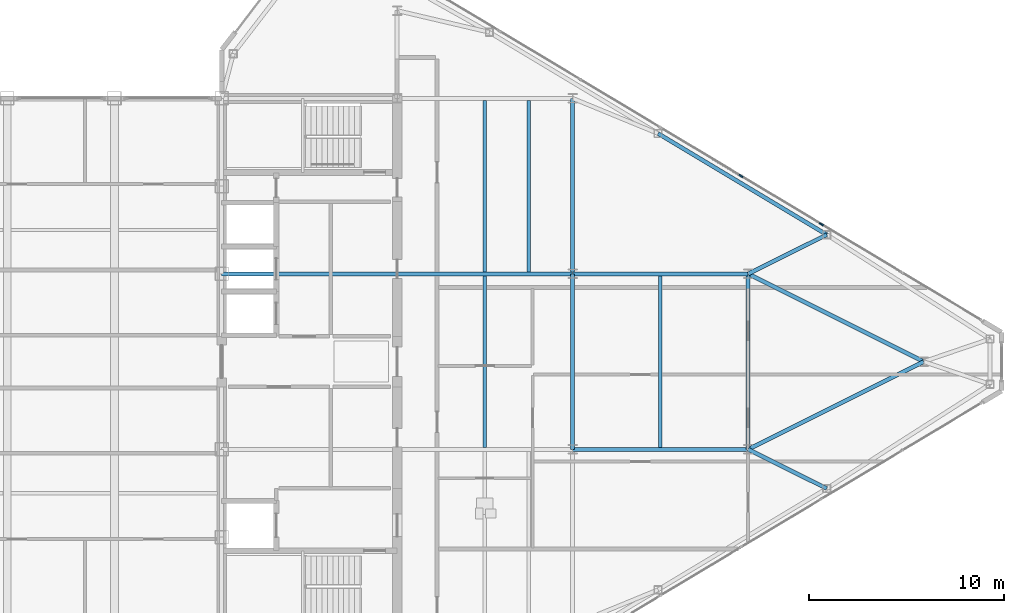
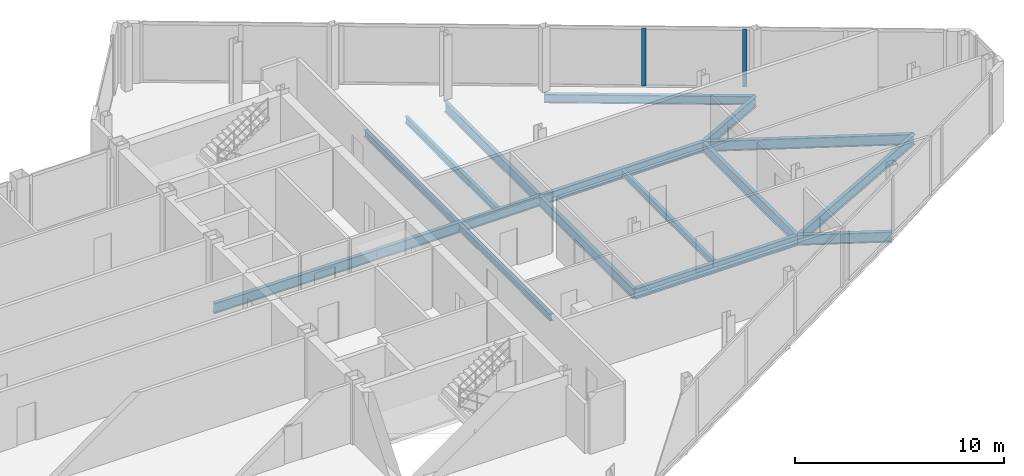
# One storey, part 15 of 28: 16 beams, 2 members, 1 element without a shape of its own.
"""IFC4 building model written with IfcOpenShell, lengths in metres."""

from ifc_helpers import new_model, si_unit, direction, frame, origin, origin_2d, place, context, subcontext, project, spatial, rectangle, i_section, extrude, source, transform, mapped, material, layer, layer_set, material_profile, profile_set, type_object, type_shapes, element, aggregate, save


model = new_model("IFC4")

# Units and contexts
model_context = context("Model", 3, precision=1e-05, world=origin(), true_north=direction((0.0, 1.0)))
body_context = subcontext(model_context, "Body", "Model", "MODEL_VIEW")
ifc_project = project(units=[si_unit("LENGTHUNIT", "METRE"), si_unit("AREAUNIT", "SQUARE_METRE"), si_unit("VOLUMEUNIT", "CUBIC_METRE"), si_unit("PLANEANGLEUNIT", "RADIAN"), si_unit("MASSUNIT", "GRAM", prefix="KILO")], contexts=[model_context])

# Site, building, storey
site_placement = place(None, origin())
site = spatial("IfcSite", under=ifc_project, at=site_placement, CompositionType="ELEMENT")
building_placement = place(site_placement, origin())
building = spatial("IfcBuilding", under=site, at=building_placement, Name="Seokmaru Belvedere", CompositionType="ELEMENT")
storey_placement = place(building_placement, frame((0.0, 0.0, 265.64990234375)))
storey = spatial("IfcBuildingStorey", under=building, at=storey_placement, Name="L70", CompositionType="ELEMENT", Elevation=265.64990234375)

# Beams
ifc_material_1 = material(Name="Steel SM355 (355 MPa)", Category="steel")
ifc_material_profile_1 = material_profile(ifc_material_1, i_section(OverallWidth=0.199951171875, OverallDepth=0.60009765625, WebThickness=0.010986328125, FlangeThickness=0.01708984375, at=origin_2d()), Name="H-600x200x11x17")
ifc_profile_set_1 = profile_set([ifc_material_profile_1], Name="Steel SM355 (355 MPa)")
beam_type_1 = type_object("IfcBeamType", Name="Primary Floor Girder H-600", PredefinedType="BEAM", material=ifc_profile_set_1)
shared_shape_1 = source(origin(), body_context, "Body", "SweptSolid", [
    extrude(i_section(OverallWidth=0.199951171875, OverallDepth=0.60009765625, WebThickness=0.010986328125, FlangeThickness=0.01708984375, at=origin_2d()), origin(), (0.0, 0.0, 1.0), 9.0),
])
for number, where, z_axis, x_axis, name in (
    (1, (45.5, -4.5, -0.52001953125), (0.0, 1.0, 0.0), (-1.0, 0.0, 0.0), "L70 E Interior Grid Girder 2"),
    (2, (45.5, 4.5, -0.52001953125), (0.0, 1.0, 0.0), (-1.0, 0.0, 0.0), "L70 E Interior Grid Girder 3"),
    (3, (27.5, 4.5, -0.52001953125), (1.0, 0.0, 0.0), (0.0, 1.0, 0.0), "L70 E Core Tie Girder 3"),
    (4, (36.5, 4.5, -0.52001953125), (1.0, 0.0, 0.0), (0.0, 1.0, 0.0), "L70 E Wing Primary Girder 3"),
    (5, (45.5, -4.5, -0.52001953125), (1.0, 0.0, 0.0), (0.0, 1.0, 0.0), "L70 E Outer Wing Girder 1"),
    (6, (45.5, 4.5, -0.52001953125), (1.0, 0.0, 0.0), (0.0, 1.0, 0.0), "L70 E Outer Wing Girder 2"),
    (7, (54.5, -4.5, -0.52001953125), (0.0, 1.0, 0.0), (-1.0, 0.0, 0.0), "L70 E Apex Frame Girder"),
):
    element("IfcBeam", number, at=place(storey_placement, frame(where, z_axis=z_axis, x_axis=x_axis)), inside=storey, type_object=beam_type_1, Name=name, PredefinedType="BEAM", context=body_context, shape_type="MappedRepresentation", body=[
        mapped(shared_shape_1, transform((0.0, 0.0, 0.0), scale=1.0)),
    ])
shared_shape_2 = source(origin(), body_context, "Body", "SweptSolid", [
    extrude(i_section(OverallWidth=0.199951171875, OverallDepth=0.60009765625, WebThickness=0.010986328125, FlangeThickness=0.01708984375, at=origin_2d()), origin(), (0.0, 0.0, 1.0), 10.062255859375),
])
for number, where, z_axis, x_axis, name in (
    (8, (54.5, -4.5, -0.52001953125), (0.894427191, 0.4472135955, 0.0), (-0.4472135955, 0.894427191, 0.0), "L70 E Apex Converging Girder 1"),
    (9, (54.5, 4.5, -0.52001953125), (0.894427191, -0.4472135955, 0.0), (0.4472135955, 0.894427191, 0.0), "L70 E Apex Converging Girder 2"),
):
    element("IfcBeam", number, at=place(storey_placement, frame(where, z_axis=z_axis, x_axis=x_axis)), inside=storey, type_object=beam_type_1, Name=name, PredefinedType="BEAM", context=body_context, shape_type="MappedRepresentation", body=[
        mapped(shared_shape_2, transform((0.0, 0.0, 0.0), scale=1.0)),
    ])
ifc_material_profile_2 = material_profile(ifc_material_1, i_section(OverallWidth=0.18505859375, OverallDepth=0.389892578125, WebThickness=0.008056640625, FlangeThickness=0.011962890625, at=origin_2d()), Name="H-390x185x8x12")
ifc_profile_set_2 = profile_set([ifc_material_profile_2], Name="Steel SM355 (355 MPa)")
beam_type_2 = type_object("IfcBeamType", Name="Secondary Floor Joist H-350", PredefinedType="JOIST", material=ifc_profile_set_2)
shared_shape_3 = source(origin(), body_context, "Body", "SweptSolid", [
    extrude(i_section(OverallWidth=0.18505859375, OverallDepth=0.389892578125, WebThickness=0.008056640625, FlangeThickness=0.011962890625, at=origin_2d()), origin(), (0.0, 0.0, 1.0), 8.7900390625),
])
type_shapes(beam_type_2, [shared_shape_3])
for number, where, z_axis, x_axis, name in (
    (10, (43.25, 4.60498046875, -0.414794921875), (0.0, 1.0, 0.0), (-1.0, 0.0, 0.0), "L70 E Wing Inner Secondary Joist 2"),
    (11, (41.0, -4.39501953125, -0.414794921875), (0.0, 1.0, 0.0), (-1.0, 0.0, 0.0), "L70 E Secondary Floor Joist 2"),
    (12, (41.0, 4.60498046875, -0.414794921875), (0.0, 1.0, 0.0), (-1.0, 0.0, 0.0), "L70 E Secondary Floor Joist 3"),
    (13, (50.0, -4.39501953125, -0.414794921875), (0.0, 1.0, 0.0), (-1.0, 0.0, 0.0), "L70 E Outer Bay Secondary Joist"),
):
    element("IfcBeam", number, at=place(storey_placement, frame(where, z_axis=z_axis, x_axis=x_axis)), inside=storey, type_object=beam_type_2, Name=name, PredefinedType="JOIST", context=body_context, shape_type="MappedRepresentation", body=[
        mapped(shared_shape_3, transform((0.0, 0.0, 0.0), scale=1.0)),
    ])
ifc_material_profile_3 = material_profile(ifc_material_1, i_section(OverallWidth=0.199951171875, OverallDepth=0.5, WebThickness=0.010009765625, FlangeThickness=0.01611328125, at=origin_2d()), Name="H-500x200x10x16")
ifc_profile_set_3 = profile_set([ifc_material_profile_3], Name="Steel SM355 (355 MPa)")
beam_type_3 = type_object("IfcBeamType", Name="Perimeter Spandrel Beam H-500", PredefinedType="SPANDREL", material=ifc_profile_set_3)
shared_shape_4 = source(origin(), body_context, "Body", "SweptSolid", [
    extrude(i_section(OverallWidth=0.199951171875, OverallDepth=0.5, WebThickness=0.010009765625, FlangeThickness=0.01611328125, at=origin_2d()), origin(), (0.0, 0.0, 1.0), 10.087646484375),
])
type_shapes(beam_type_3, [shared_shape_4])
beam_placement = place(storey_placement, frame((49.8798828125, 11.698974609375, -0.469970703125), z_axis=(0.857488654804, -0.514502873542, 0.0), x_axis=(0.514502873542, 0.857488654804, 0.0)))
element("IfcBeam", 14, at=beam_placement, inside=storey, type_object=beam_type_3, Name="L70 E Faceted Flank Spandrel N-3", PredefinedType="SPANDREL", context=body_context, shape_type="MappedRepresentation", body=[
    mapped(shared_shape_4, transform((0.0, 0.0, 0.0), scale=1.0)),
])
shared_shape_5 = source(origin(), body_context, "Body", "SweptSolid", [
    extrude(i_section(OverallWidth=0.199951171875, OverallDepth=0.60009765625, WebThickness=0.010986328125, FlangeThickness=0.01708984375, at=origin_2d()), origin(), (0.0, 0.0, 1.0), 4.5029296875),
])
type_shapes(beam_type_1, [shared_shape_1, shared_shape_2, shared_shape_5])
for number, where, z_axis, x_axis, name in (
    (15, (58.530029296875, -6.5087890625, -0.52001953125), (-0.894979532585, 0.446107202648, 0.0), (-0.446107202648, -0.894979532585, 0.0), "L70 E Flank Radial Floor Girder S-3"),
    (16, (58.530029296875, 6.5087890625, -0.52001953125), (-0.894979532585, -0.446107202648, 0.0), (0.446107202648, -0.894979532585, 0.0), "L70 E Flank Radial Floor Girder N-3"),
):
    element("IfcBeam", number, at=place(storey_placement, frame(where, z_axis=z_axis, x_axis=x_axis)), inside=storey, type_object=beam_type_1, Name=name, PredefinedType="BEAM", context=body_context, shape_type="MappedRepresentation", body=[
        mapped(shared_shape_5, transform((0.0, 0.0, 0.0), scale=1.0)),
    ])

# Curtain wall, members
ifc_material_2 = material(Name="Bronze Triple Insulating Glass", Category="glass")
ifc_layer = layer(ifc_material_2, 0.219970703125)
ifc_layer_set = layer_set([ifc_layer], Name="Bronze Triple Insulating Glass")
curtain_wall_type = type_object("IfcCurtainWallType", Name="Sky-Gate Bridge Panorama Curtain Wall System CW-6", PredefinedType="NOTDEFINED", material=ifc_layer_set)
curtain_wall_placement = place(storey_placement, origin())
curtain_wall = element("IfcCurtainWall", 17, at=curtain_wall_placement, inside=storey, type_object=curtain_wall_type, Name="L70 Curtain Wall EF3", PredefinedType="NOTDEFINED")
ifc_material_3 = material(Name="Anodised Bronze Aluminium", Category="aluminium")
ifc_material_profile_4 = material_profile(ifc_material_3, rectangle(XDim=0.080078125, YDim=0.219970703125, at=origin_2d()), Name="CW-M-80x220")
ifc_profile_set_4 = profile_set([ifc_material_profile_4], Name="Anodised Bronze Aluminium")
member_type = type_object("IfcMemberType", Name="Bronze Unitised Mullion 80x220", PredefinedType="MULLION", material=ifc_profile_set_4)
shared_shape_6 = source(origin(), body_context, "Body", "SweptSolid", [
    extrude(rectangle(XDim=0.080078125, YDim=0.219970703125, at=origin_2d()), origin(), (0.0, 0.0, 1.0), 3.33984375),
])
type_shapes(member_type, [shared_shape_6])
member_1_placement = place(storey_placement, frame((58.257080078125, 7.0458984375, 0.0751953125), z_axis=(0.0, 0.0, 1.0), x_axis=(-0.514494909364, -0.85749343335, 0.0)))
member_1 = element("IfcMember", 18, at=member_1_placement, type_object=member_type, Name="CW:L70:EF3 Mullion 3", PredefinedType="MULLION", context=body_context, shape_type="MappedRepresentation", body=[
    mapped(shared_shape_6, transform((0.0, 0.0, 0.0), scale=1.0)),
])
member_2_placement = place(storey_placement, frame((54.12841796875, 9.52294921875, 0.0751953125), z_axis=(0.0, 0.0, 1.0), x_axis=(-0.514494909364, -0.85749343335, 0.0)))
member_2 = element("IfcMember", 19, at=member_2_placement, type_object=member_type, Name="CW:L70:EF3 Mullion 4", PredefinedType="MULLION", context=body_context, shape_type="MappedRepresentation", body=[
    mapped(shared_shape_6, transform((0.0, 0.0, 0.0), scale=1.0)),
])
aggregate(curtain_wall, [member_1, member_2])

save(model, "model.ifc")
